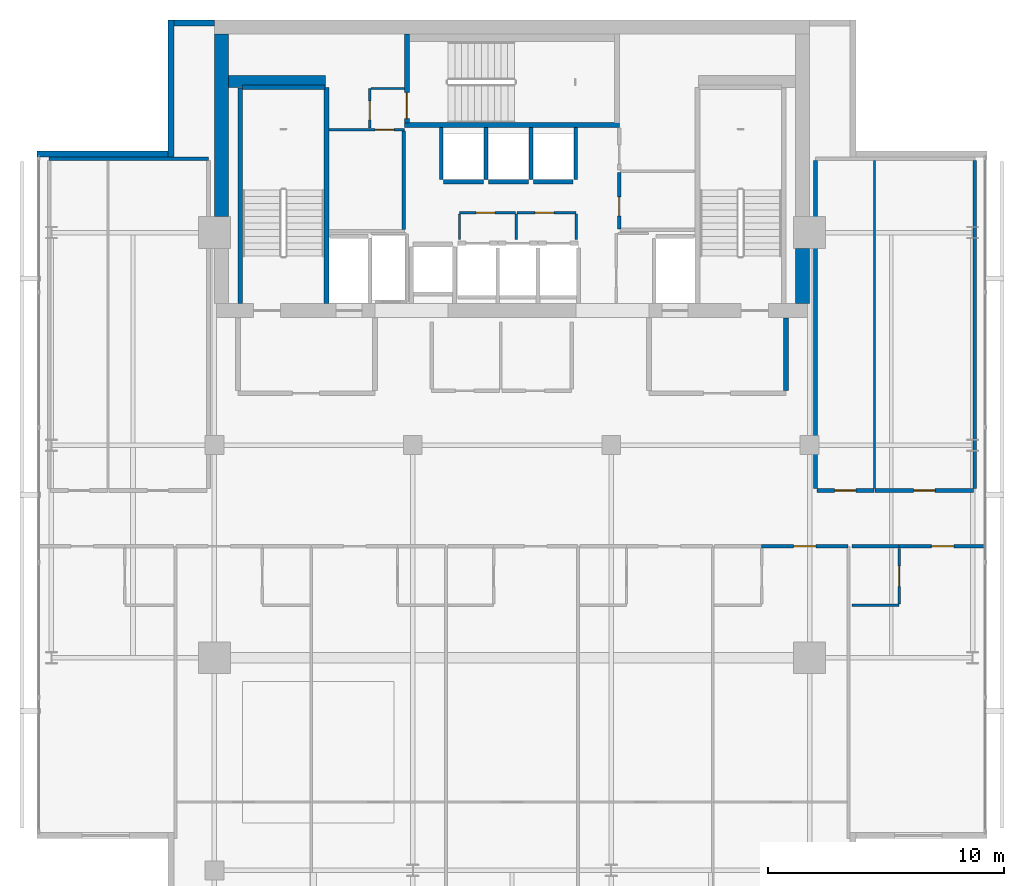
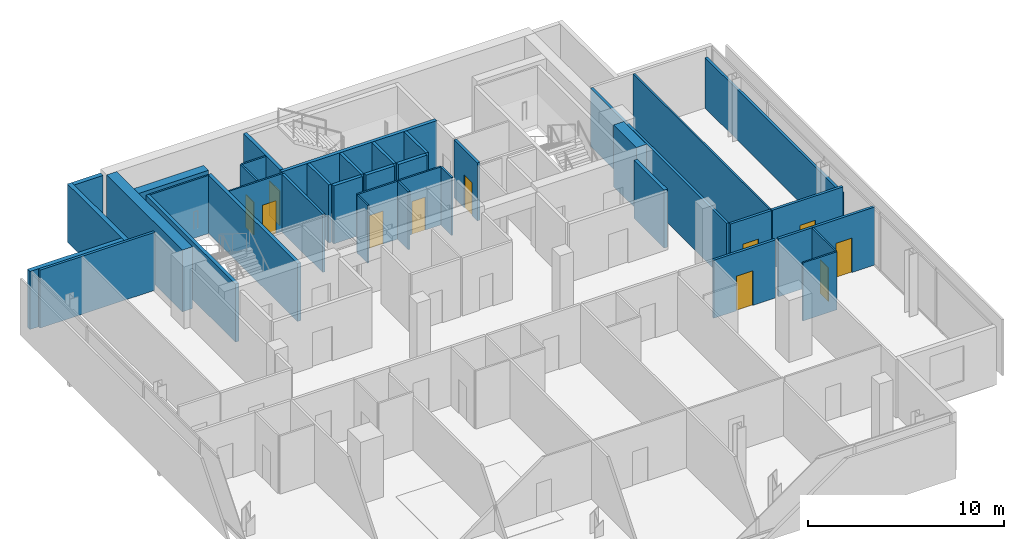
# One storey, part 19 of 24: 40 walls, 11 doors, 11 openings.
"""IFC4 building model written with IfcOpenShell, lengths in metres."""

from ifc_helpers import new_model, si_unit, direction, frame, frame_2d, origin, place, context, subcontext, project, spatial, rectangle, extrude, material, layer, layer_set, type_object, element, fill, save


model = new_model("IFC4")

# Units and contexts
model_context = context("Model", 3, precision=1e-05, world=origin(), true_north=direction((0.0, 1.0)))
body_context = subcontext(model_context, "Body", "Model", "MODEL_VIEW")
ifc_project = project(units=[si_unit("LENGTHUNIT", "METRE"), si_unit("AREAUNIT", "SQUARE_METRE"), si_unit("VOLUMEUNIT", "CUBIC_METRE"), si_unit("PLANEANGLEUNIT", "RADIAN"), si_unit("MASSUNIT", "GRAM", prefix="KILO")], contexts=[model_context])

# Site, building, storey
site_placement = place(None, origin())
site = spatial("IfcSite", under=ifc_project, at=site_placement, CompositionType="ELEMENT")
building_placement = place(site_placement, origin())
building = spatial("IfcBuilding", under=site, at=building_placement, Name="Maruvema Waterfront Hotel and Observation Tower", CompositionType="ELEMENT")
storey_placement = place(building_placement, frame((0.0, 0.0, 325.85009765625)))
storey = spatial("IfcBuildingStorey", under=building, at=storey_placement, Name="L80", CompositionType="ELEMENT", Elevation=325.85009765625)

# Wall
ifc_material_1 = material(Name="Twin-stud acoustic gypsum drywall", Category="gypsum")
ifc_layer_1 = layer(ifc_material_1, 0.14990234375, Name="Acoustic Corridor and Suite Demising Wall 150 mm")
ifc_layer_set_1 = layer_set([ifc_layer_1], Name="Twin-stud acoustic gypsum drywall")
wall_type_1 = type_object("IfcWallType", Name="Acoustic Corridor and Suite Demising Wall 150 mm", PredefinedType="PARTITIONING", material=ifc_layer_set_1)
wall_1_placement = place(storey_placement, frame((33.219970703125, 45.139892578125, 0.0), z_axis=(0.0, 0.0, 1.0), x_axis=(0.0, 1.0, 0.0)))
element("IfcWall", 1, at=wall_1_placement, inside=storey, type_object=wall_type_1, Name="L80 Freed B1 East Wall 018", PredefinedType="PARTITIONING", context=body_context, shape_type="SweptSolid", body=[
    extrude(rectangle(XDim=4.16015625, YDim=0.14990234375, at=frame_2d((2.080078125, 0.0))), origin(), (0.0, 0.0, 1.0), 3.60986328125),
])

# Wall, opening, door
wall_2_placement = place(storey_placement, frame((42.340087890625, 45.159912109375, 0.0), z_axis=(0.0, 0.0, 1.0), x_axis=(0.0, 1.0, 0.0)))
wall_2 = element("IfcWall", 2, at=wall_2_placement, inside=storey, type_object=wall_type_1, Name="L80 Freed B2 West S 022", PredefinedType="PARTITIONING", context=body_context, shape_type="SweptSolid", body=[
    extrude(rectangle(XDim=2.380126953125, YDim=0.14990234375, at=frame_2d((1.18994140625, 0.0))), origin(), (0.0, 0.0, 1.0), 3.60986328125),
])
opening_1_placement = place(wall_2_placement, frame((0.550048828125, 0.0, 0.0)))
opening_1 = element("IfcOpeningElement", 3, at=opening_1_placement, cuts=wall_2, Name="Opening DR-080", PredefinedType="OPENING", context=body_context, shape_type="SweptSolid", body=[
    extrude(rectangle(XDim=0.800048828125, YDim=2.050048828125, at=frame_2d((0.39990234375, 1.02490234375))), frame((0.0, 0.0849609375, 0.0), z_axis=(0.0, -1.0, 0.0), x_axis=(1.0, 0.0, 0.0)), (0.0, 0.0, 1.0), 0.169921875),
])
ifc_material_2 = material(Name="Powder-coated steel access leaf", Category="steel")
door_type_1 = type_object("IfcDoorType", Name="Riser and Service Cupboard Door 800x2050 mm", OperationType="NOTDEFINED", PredefinedType="DOOR", material=ifc_material_2)
door_1_placement = place(opening_1_placement, frame((0.800048828125, 0.0, 0.0), z_axis=(0.0, 0.0, 1.0), x_axis=(-1.0, 0.0, 0.0)))
door_1 = element("IfcDoor", 4, at=door_1_placement, inside=storey, type_object=door_type_1, Name="L80 Butler Service Pantry Door", OperationType="SINGLE_SWING_LEFT", OverallHeight=2.050048828125, OverallWidth=0.800048828125, PredefinedType="DOOR", context=body_context, shape_type="SweptSolid", body=[
    extrude(rectangle(XDim=0.800048828125, YDim=2.050048828125, at=frame_2d((0.39990234375, 1.02490234375))), frame((0.0, 0.02490234375, 0.0), z_axis=(0.0, -1.0, 0.0), x_axis=(1.0, 0.0, 0.0)), (0.0, 0.0, 1.0), 0.050048828125),
])
fill(opening_1, door_1)

# Walls
wall_3_placement = place(storey_placement, frame((18.199951171875, 48.125, 0.0), z_axis=(0.0, 0.0, 1.0), x_axis=(1.0, 0.0, 0.0)))
element("IfcWall", 5, at=wall_3_placement, inside=storey, type_object=wall_type_1, Name="L80 L80-Z4W Back Wall 031", PredefinedType="PARTITIONING", context=body_context, shape_type="SweptSolid", body=[
    extrude(rectangle(XDim=6.75, YDim=0.14990234375, at=frame_2d((3.375, 0.0))), origin(), (0.0, 0.0, 1.0), 3.60986328125),
])
wall_4_placement = place(storey_placement, frame((50.64990234375, 34.159912109375, 0.0), z_axis=(0.0, 0.0, 1.0), x_axis=(0.0, 1.0, 0.0)))
element("IfcWall", 6, at=wall_4_placement, inside=storey, type_object=wall_type_1, Name="L80 L80-Z4E West Wall 038", PredefinedType="PARTITIONING", context=body_context, shape_type="SweptSolid", body=[
    extrude(rectangle(XDim=13.885009765625, YDim=0.14990234375, at=frame_2d((6.9423828125, 0.0))), origin(), (0.0, 0.0, 1.0), 3.60986328125),
])
wall_5_placement = place(storey_placement, frame((57.39990234375, 34.159912109375, 0.0), z_axis=(0.0, 0.0, 1.0), x_axis=(0.0, 1.0, 0.0)))
element("IfcWall", 7, at=wall_5_placement, inside=storey, type_object=wall_type_1, Name="L80 L80-Z4E East Wall 039", PredefinedType="PARTITIONING", context=body_context, shape_type="SweptSolid", body=[
    extrude(rectangle(XDim=13.885009765625, YDim=0.14990234375, at=frame_2d((6.9423828125, 0.0))), origin(), (0.0, 0.0, 1.0), 3.140869140625),
])

# Wall, opening, door
wall_6_placement = place(storey_placement, frame((50.7099609375, 34.080078125, 0.0), z_axis=(0.0, 0.0, 1.0), x_axis=(1.0, 0.0, 0.0)))
wall_6 = element("IfcWall", 8, at=wall_6_placement, inside=storey, type_object=wall_type_1, Name="L80 L80-Z4E Front 1 040", PredefinedType="PARTITIONING", context=body_context, shape_type="SweptSolid", body=[
    extrude(rectangle(XDim=2.407470703125, YDim=0.14990234375, at=frame_2d((1.20361328125, 0.0))), origin(), (0.0, 0.0, 1.0), 3.60986328125),
])
opening_2_placement = place(wall_6_placement, frame((0.753662109375, 0.0, 0.0)))
opening_2 = element("IfcOpeningElement", 9, at=opening_2_placement, cuts=wall_6, Name="Opening DR-090", PredefinedType="OPENING", context=body_context, shape_type="SweptSolid", body=[
    extrude(rectangle(XDim=0.89990234375, YDim=2.10009765625, at=frame_2d((0.449951171875, 1.050048828125))), frame((0.0, 0.0849609375, 0.0), z_axis=(0.0, -1.0, 0.0), x_axis=(1.0, 0.0, 0.0)), (0.0, 0.0, 1.0), 0.169921875),
])
ifc_material_3 = material(Name="Solid-core lacquered timber leaf", Category="wood")
door_type_2 = type_object("IfcDoorType", Name="Accessible Toilet and Room Door 900x2100 mm", OperationType="NOTDEFINED", PredefinedType="DOOR", material=ifc_material_3)
door_2_placement = place(opening_2_placement, frame((0.89990234375, 0.0, 0.0), z_axis=(0.0, 0.0, 1.0), x_axis=(-1.0, 0.0, 0.0)))
door_2 = element("IfcDoor", 10, at=door_2_placement, inside=storey, type_object=door_type_2, Name="L80 Executive Meeting Salon 1 Door", OperationType="SINGLE_SWING_LEFT", OverallHeight=2.10009765625, OverallWidth=0.89990234375, PredefinedType="DOOR", context=body_context, shape_type="SweptSolid", body=[
    extrude(rectangle(XDim=0.89990234375, YDim=2.10009765625, at=frame_2d((0.449951171875, 1.050048828125))), frame((0.0, 0.02490234375, 0.0), z_axis=(0.0, -1.0, 0.0), x_axis=(1.0, 0.0, 0.0)), (0.0, 0.0, 1.0), 0.050048828125),
])
fill(opening_2, door_2)

wall_7_placement = place(storey_placement, frame((53.177490234375, 34.080078125, 0.0), z_axis=(0.0, 0.0, 1.0), x_axis=(1.0, 0.0, 0.0)))
wall_7 = element("IfcWall", 11, at=wall_7_placement, inside=storey, type_object=wall_type_1, Name="L80 L80-Z4E Front 2 042", PredefinedType="PARTITIONING", context=body_context, shape_type="SweptSolid", body=[
    extrude(rectangle(XDim=4.16259765625, YDim=0.14990234375, at=frame_2d((2.081298828125, 0.0))), origin(), (0.0, 0.0, 1.0), 3.60986328125),
])
opening_3_placement = place(wall_7_placement, frame((1.63134765625, 0.0, 0.0)))
opening_3 = element("IfcOpeningElement", 12, at=opening_3_placement, cuts=wall_7, Name="Opening DR-090", PredefinedType="OPENING", context=body_context, shape_type="SweptSolid", body=[
    extrude(rectangle(XDim=0.89990234375, YDim=2.10009765625, at=frame_2d((0.449951171875, 1.050048828125))), frame((0.0, 0.0849609375, 0.0), z_axis=(0.0, -1.0, 0.0), x_axis=(1.0, 0.0, 0.0)), (0.0, 0.0, 1.0), 0.169921875),
])
door_3_placement = place(opening_3_placement, frame((0.89990234375, 0.0, 0.0), z_axis=(0.0, 0.0, 1.0), x_axis=(-1.0, 0.0, 0.0)))
door_3 = element("IfcDoor", 13, at=door_3_placement, inside=storey, type_object=door_type_2, Name="L80 Executive Meeting Salon 2 Door", OperationType="SINGLE_SWING_RIGHT", OverallHeight=2.10009765625, OverallWidth=0.89990234375, PredefinedType="DOOR", context=body_context, shape_type="SweptSolid", body=[
    extrude(rectangle(XDim=0.89990234375, YDim=2.10009765625, at=frame_2d((0.449951171875, 1.050048828125))), frame((0.0, 0.02490234375, 0.0), z_axis=(0.0, -1.0, 0.0), x_axis=(1.0, 0.0, 0.0)), (0.0, 0.0, 1.0), 0.050048828125),
])
fill(opening_3, door_3)

wall_8_placement = place(storey_placement, frame((48.3701171875, 31.719970703125, 0.0), z_axis=(0.0, 0.0, 1.0), x_axis=(1.0, 0.0, 0.0)))
wall_8 = element("IfcWall", 14, at=wall_8_placement, inside=storey, type_object=wall_type_1, Name="L80 Unit L80-SK5 Corridor Wall 072", PredefinedType="PARTITIONING", context=body_context, shape_type="SweptSolid", body=[
    extrude(rectangle(XDim=3.6474609375, YDim=0.14990234375, at=frame_2d((1.82373046875, 0.0))), origin(), (0.0, 0.0, 1.0), 3.60986328125),
])
opening_4_placement = place(wall_8_placement, frame((1.348876953125, 0.0, 0.0)))
opening_4 = element("IfcOpeningElement", 15, at=opening_4_placement, cuts=wall_8, Name="Opening DR-095", PredefinedType="OPENING", context=body_context, shape_type="SweptSolid", body=[
    extrude(rectangle(XDim=0.949951171875, YDim=2.14990234375, at=frame_2d((0.47509765625, 1.074951171875))), frame((0.0, 0.0849609375, 0.0), z_axis=(0.0, -1.0, 0.0), x_axis=(1.0, 0.0, 0.0)), (0.0, 0.0, 1.0), 0.169921875),
])
ifc_material_4 = material(Name="Acoustic solid-core hardwood timber leaf", Category="wood")
door_type_3 = type_object("IfcDoorType", Name="Guestroom Entrance Fire Door 950x2150 mm", OperationType="NOTDEFINED", PredefinedType="DOOR", material=ifc_material_4)
door_4_placement = place(opening_4_placement, frame((0.949951171875, 0.0, 0.0), z_axis=(0.0, 0.0, 1.0), x_axis=(-1.0, 0.0, 0.0)))
door_4 = element("IfcDoor", 16, at=door_4_placement, inside=storey, type_object=door_type_3, Name="L80 Unit L80-SK5 Entrance Door", OperationType="SINGLE_SWING_RIGHT", OverallHeight=2.14990234375, OverallWidth=0.949951171875, PredefinedType="DOOR", context=body_context, shape_type="SweptSolid", body=[
    extrude(rectangle(XDim=0.949951171875, YDim=2.14990234375, at=frame_2d((0.47509765625, 1.074951171875))), frame((0.0, 0.02490234375, 0.0), z_axis=(0.0, -1.0, 0.0), x_axis=(1.0, 0.0, 0.0)), (0.0, 0.0, 1.0), 0.050048828125),
])
fill(opening_4, door_4)

# Wall
wall_9_placement = place(storey_placement, frame((52.18994140625, 31.719970703125, 0.0), z_axis=(0.0, 0.0, 1.0), x_axis=(1.0, 0.0, 0.0)))
element("IfcWall", 17, at=wall_9_placement, inside=storey, type_object=wall_type_1, Name="L80 Bath L80-SKE Back Wall 078", PredefinedType="PARTITIONING", context=body_context, shape_type="SweptSolid", body=[
    extrude(rectangle(XDim=2.0, YDim=0.14990234375, at=frame_2d((1.0, 0.0))), origin(), (0.0, 0.0, 1.0), 3.60986328125),
])

# Wall, opening, door
wall_10_placement = place(storey_placement, frame((54.18994140625, 31.719970703125, 0.0), z_axis=(0.0, 0.0, 1.0), x_axis=(1.0, 0.0, 0.0)))
wall_10 = element("IfcWall", 18, at=wall_10_placement, inside=storey, type_object=wall_type_1, Name="L80 Unit L80-SKE Corridor Wall 081", PredefinedType="PARTITIONING", context=body_context, shape_type="SweptSolid", body=[
    extrude(rectangle(XDim=3.68017578125, YDim=0.14990234375, at=frame_2d((1.840087890625, 0.0))), origin(), (0.0, 0.0, 1.0), 3.60986328125),
])
opening_5_placement = place(wall_10_placement, frame((1.364990234375, 0.0, 0.0)))
opening_5 = element("IfcOpeningElement", 19, at=opening_5_placement, cuts=wall_10, Name="Opening DR-095", PredefinedType="OPENING", context=body_context, shape_type="SweptSolid", body=[
    extrude(rectangle(XDim=0.949951171875, YDim=2.14990234375, at=frame_2d((0.47509765625, 1.074951171875))), frame((0.0, 0.0849609375, 0.0), z_axis=(0.0, -1.0, 0.0), x_axis=(1.0, 0.0, 0.0)), (0.0, 0.0, 1.0), 0.169921875),
])
door_5_placement = place(opening_5_placement, frame((0.949951171875, 0.0, 0.0), z_axis=(0.0, 0.0, 1.0), x_axis=(-1.0, 0.0, 0.0)))
door_5 = element("IfcDoor", 20, at=door_5_placement, inside=storey, type_object=door_type_3, Name="L80 Unit L80-SKE Entrance Door", OperationType="SINGLE_SWING_LEFT", OverallHeight=2.14990234375, OverallWidth=0.949951171875, PredefinedType="DOOR", context=body_context, shape_type="SweptSolid", body=[
    extrude(rectangle(XDim=0.949951171875, YDim=2.14990234375, at=frame_2d((0.47509765625, 1.074951171875))), frame((0.0, 0.02490234375, 0.0), z_axis=(0.0, -1.0, 0.0), x_axis=(1.0, 0.0, 0.0)), (0.0, 0.0, 1.0), 0.050048828125),
])
fill(opening_5, door_5)

# Walls
ifc_material_5 = material(Name="Precast concrete C45/55", Category="concrete")
ifc_layer_2 = layer(ifc_material_5, 0.199951171875, Name="Core Shaft and Stairwell Enclosure Wall 200 mm")
ifc_layer_set_2 = layer_set([ifc_layer_2], Name="Precast concrete C45/55")
wall_type_2 = type_object("IfcWallType", Name="Core Shaft and Stairwell Enclosure Wall 200 mm", PredefinedType="SOLIDWALL", material=ifc_layer_set_2)
wall_11_placement = place(storey_placement, frame((29.949951171875, 42.0, 0.0), z_axis=(0.0, 0.0, 1.0), x_axis=(0.0, 1.0, 0.0)))
element("IfcWall", 21, at=wall_11_placement, inside=storey, type_object=wall_type_2, Name="L80 Stairwell ST-01 East Shaft Wall", PredefinedType="SOLIDWALL", context=body_context, shape_type="SweptSolid", body=[
    extrude(rectangle(XDim=9.14990234375, YDim=0.199951171875, at=frame_2d((4.574951171875, 0.0))), origin(), (0.0, 0.0, 1.0), 3.60986328125),
])
wall_12_placement = place(storey_placement, frame((26.300048828125, 42.0, 0.0), z_axis=(0.0, 0.0, 1.0), x_axis=(0.0, 1.0, 0.0)))
element("IfcWall", 22, at=wall_12_placement, inside=storey, type_object=wall_type_2, Name="L80 Stairwell ST-01 Shaft Lining Wall", PredefinedType="SOLIDWALL", context=body_context, shape_type="SweptSolid", body=[
    extrude(rectangle(XDim=9.1201171875, YDim=0.199951171875, at=frame_2d((4.56005859375, 0.0))), origin(), (0.0, 0.0, 1.0), 3.60986328125),
])
wall_13_placement = place(storey_placement, frame((26.3798828125, 51.14990234375, 0.0), z_axis=(0.0, 0.0, 1.0), x_axis=(1.0, 0.0, 0.0)))
element("IfcWall", 23, at=wall_13_placement, inside=storey, type_object=wall_type_2, Name="L80 Stairwell ST-01 Shaft Lining Wall", PredefinedType="SOLIDWALL", context=body_context, shape_type="SweptSolid", body=[
    extrude(rectangle(XDim=3.5, YDim=0.199951171875, at=frame_2d((1.75, 0.0))), origin(), (0.0, 0.0, 1.0), 3.60986328125),
])
wall_14_placement = place(storey_placement, frame((33.25, 49.550048828125, 0.0), z_axis=(0.0, 0.0, 1.0), x_axis=(1.0, 0.0, 0.0)))
element("IfcWall", 24, at=wall_14_placement, inside=storey, type_object=wall_type_2, Name="L80 Stairwell ST-02 Shaft Wall", PredefinedType="SOLIDWALL", context=body_context, shape_type="SweptSolid", body=[
    extrude(rectangle(XDim=9.10009765625, YDim=0.199951171875, at=frame_2d((4.550048828125, 0.0))), origin(), (0.0, 0.0, 1.0), 3.60986328125),
])

# Wall, opening, door
wall_15_placement = place(storey_placement, frame((33.35009765625, 49.64990234375, 0.0), z_axis=(0.0, 0.0, 1.0), x_axis=(0.0, 1.0, 0.0)))
wall_15 = element("IfcWall", 25, at=wall_15_placement, inside=storey, type_object=wall_type_2, Name="L80 Stairwell ST-02 Shaft Wall", PredefinedType="SOLIDWALL", context=body_context, shape_type="SweptSolid", body=[
    extrude(rectangle(XDim=3.75, YDim=0.199951171875, at=frame_2d((1.875, 0.0))), origin(), (0.0, 0.0, 1.0), 3.60986328125),
])
opening_6_placement = place(wall_15_placement, frame((0.179931640625, 0.0, 0.0)))
opening_6 = element("IfcOpeningElement", 26, at=opening_6_placement, cuts=wall_15, Name="Opening SD-02", PredefinedType="OPENING", context=body_context, shape_type="SweptSolid", body=[
    extrude(rectangle(XDim=1.10009765625, YDim=2.14990234375, at=frame_2d((0.550048828125, 1.074951171875))), frame((0.0, 0.10986328125, 0.0), z_axis=(0.0, -1.0, 0.0), x_axis=(1.0, 0.0, 0.0)), (0.0, 0.0, 1.0), 0.219970703125),
])
ifc_material_6 = material(Name="Fire-rated galvanised steel leaf", Category="steel")
door_type_4 = type_object("IfcDoorType", Name="Central Exit Stair Fire Door 1100x2150 mm", OperationType="NOTDEFINED", PredefinedType="DOOR", material=ifc_material_6)
door_6_placement = place(opening_6_placement, frame((1.10009765625, 0.0, 0.0), z_axis=(0.0, 0.0, 1.0), x_axis=(-1.0, 0.0, 0.0)))
door_6 = element("IfcDoor", 27, at=door_6_placement, inside=storey, type_object=door_type_4, Name="L80 Exit Stair ST-02 Fire Door", OperationType="SINGLE_SWING_LEFT", OverallHeight=2.14990234375, OverallWidth=1.10009765625, PredefinedType="DOOR", context=body_context, shape_type="SweptSolid", body=[
    extrude(rectangle(XDim=1.10009765625, YDim=2.14990234375, at=frame_2d((0.550048828125, 1.074951171875))), frame((0.0, 0.02490234375, 0.0), z_axis=(0.0, -1.0, 0.0), x_axis=(1.0, 0.0, 0.0)), (0.0, 0.0, 1.0), 0.050048828125),
])
fill(opening_6, door_6)

# Walls
wall_16_placement = place(storey_placement, frame((34.909912109375, 47.14990234375, 0.0), z_axis=(0.0, 0.0, 1.0), x_axis=(1.0, 0.0, 0.0)))
element("IfcWall", 28, at=wall_16_placement, inside=storey, type_object=wall_type_2, Name="L80 Lift LF-12 Hoistway Front Wall", PredefinedType="SOLIDWALL", context=body_context, shape_type="SweptSolid", body=[
    extrude(rectangle(XDim=1.68017578125, YDim=0.199951171875, at=frame_2d((0.840087890625, 0.0))), origin(), (0.0, 0.0, 1.0), 3.60986328125),
])
for number, where, z_axis, x_axis, name in (
    (29, (36.81005859375, 47.14990234375, 0.0), (0.0, 0.0, 1.0), (1.0, 0.0, 0.0), "L80 Lift LF-13 Hoistway Front Wall"),
    (30, (38.7099609375, 47.14990234375, 0.0), (0.0, 0.0, 1.0), (1.0, 0.0, 0.0), "L80 Lift LF-14 Hoistway Front Wall"),
):
    element("IfcWall", number, at=place(storey_placement, frame(where, z_axis=z_axis, x_axis=x_axis)), inside=storey, type_object=wall_type_2, Name=name, PredefinedType="SOLIDWALL", context=body_context, shape_type="SweptSolid", body=[
        extrude(rectangle(XDim=1.679931640625, YDim=0.199951171875, at=frame_2d((0.83984375, 0.0))), origin(), (0.0, 0.0, 1.0), 3.60986328125),
    ])
ifc_material_7 = material(Name="Concrete C70/85", Category="concrete")
ifc_layer_3 = layer(ifc_material_7, 0.5, Name="Core Shear Wall 500 mm")
ifc_layer_set_3 = layer_set([ifc_layer_3], Name="Concrete C70/85")
wall_type_3 = type_object("IfcWallType", Name="Core Shear Wall 500 mm", PredefinedType="SHEAR", material=ifc_layer_set_3)
wall_17_placement = place(storey_placement, frame((25.800048828125, 51.39990234375, 0.0), z_axis=(0.0, 0.0, 1.0), x_axis=(1.0, 0.0, 0.0)))
element("IfcWall", 31, at=wall_17_placement, inside=storey, type_object=wall_type_3, Name="L80 Internal Core Shear Wall NW 500 mm", PredefinedType="SHEAR", context=body_context, shape_type="SweptSolid", body=[
    extrude(rectangle(XDim=4.099853515625, YDim=0.5, at=frame_2d((2.0498046875, 0.0))), origin(), (0.0, 0.0, 1.0), 3.849853515625),
])
ifc_material_8 = material(Name="Concrete C60/75", Category="concrete")
ifc_layer_4 = layer(ifc_material_8, 0.60009765625, Name="Core Shear Wall 600 mm")
ifc_layer_set_4 = layer_set([ifc_layer_4], Name="Concrete C60/75")
wall_type_4 = type_object("IfcWallType", Name="Core Shear Wall 600 mm", PredefinedType="SHEAR", material=ifc_layer_set_4)
wall_18_placement = place(storey_placement, frame((25.5, 45.675048828125, 0.0), z_axis=(0.0, 0.0, 1.0), x_axis=(0.0, 1.0, 0.0)))
element("IfcWall", 32, at=wall_18_placement, inside=storey, type_object=wall_type_4, Name="L80 West-North Core Shear Wall", PredefinedType="SHEAR", context=body_context, shape_type="SweptSolid", body=[
    extrude(rectangle(XDim=7.724853515625, YDim=0.60009765625, at=frame_2d((3.8623046875, 0.0))), origin(), (0.0, 0.0, 1.0), 3.849853515625),
])
wall_19_placement = place(storey_placement, frame((50.10009765625, 42.0, 0.0), z_axis=(0.0, 0.0, 1.0), x_axis=(0.0, 1.0, 0.0)))
element("IfcWall", 33, at=wall_19_placement, inside=storey, type_object=wall_type_4, Name="L80 East-South Core Shear Wall", PredefinedType="SHEAR", context=body_context, shape_type="SweptSolid", body=[
    extrude(rectangle(XDim=2.324951171875, YDim=0.60009765625, at=frame_2d((1.16259765625, 0.0))), origin(), (0.0, 0.0, 1.0), 3.849853515625),
])

# Wall, opening, door
ifc_material_9 = material(Name="Moisture-resistant cement-board drywall", Category="gypsum")
ifc_layer_5 = layer(ifc_material_9, 0.10009765625, Name="En-Suite Moisture-Resistant Partition 100 mm")
ifc_layer_set_5 = layer_set([ifc_layer_5], Name="Moisture-resistant cement-board drywall")
wall_type_5 = type_object("IfcWallType", Name="En-Suite Moisture-Resistant Partition 100 mm", PredefinedType="PARTITIONING", material=ifc_layer_set_5)
wall_20_placement = place(storey_placement, frame((35.580078125, 45.840087890625, 0.0), z_axis=(0.0, 0.0, 1.0), x_axis=(1.0, 0.0, 0.0)))
wall_20 = element("IfcWall", 34, at=wall_20_placement, inside=storey, type_object=wall_type_5, Name="L80 Core Closet K2A North 010", PredefinedType="PARTITIONING", context=body_context, shape_type="SweptSolid", body=[
    extrude(rectangle(XDim=2.35986328125, YDim=0.10009765625, at=frame_2d((1.179931640625, 0.0))), origin(), (0.0, 0.0, 1.0), 3.60986328125),
])
opening_7_placement = place(wall_20_placement, frame((0.699951171875, 0.0, 0.0)))
opening_7 = element("IfcOpeningElement", 35, at=opening_7_placement, cuts=wall_20, Name="Opening DR-080", PredefinedType="OPENING", context=body_context, shape_type="SweptSolid", body=[
    extrude(rectangle(XDim=0.800048828125, YDim=2.050048828125, at=frame_2d((0.39990234375, 1.02490234375))), frame((0.0, 0.06005859375, 0.0), z_axis=(0.0, -1.0, 0.0), x_axis=(1.0, 0.0, 0.0)), (0.0, 0.0, 1.0), 0.1201171875),
])
door_7_placement = place(opening_7_placement, origin())
door_7 = element("IfcDoor", 36, at=door_7_placement, inside=storey, type_object=door_type_1, Name="L80 Core IT Closet Door", OperationType="SINGLE_SWING_RIGHT", OverallHeight=2.050048828125, OverallWidth=0.800048828125, PredefinedType="DOOR", context=body_context, shape_type="SweptSolid", body=[
    extrude(rectangle(XDim=0.800048828125, YDim=2.050048828125, at=frame_2d((0.39990234375, 1.02490234375))), frame((0.0, 0.02490234375, 0.0), z_axis=(0.0, -1.0, 0.0), x_axis=(1.0, 0.0, 0.0)), (0.0, 0.0, 1.0), 0.050048828125),
])
fill(opening_7, door_7)

wall_21_placement = place(storey_placement, frame((38.02001953125, 45.840087890625, 0.0), z_axis=(0.0, 0.0, 1.0), x_axis=(1.0, 0.0, 0.0)))
wall_21 = element("IfcWall", 37, at=wall_21_placement, inside=storey, type_object=wall_type_5, Name="L80 Core Closet K2B North 011", PredefinedType="PARTITIONING", context=body_context, shape_type="SweptSolid", body=[
    extrude(rectangle(XDim=2.5, YDim=0.10009765625, at=frame_2d((1.25, 0.0))), origin(), (0.0, 0.0, 1.0), 3.60986328125),
])
opening_8_placement = place(wall_21_placement, frame((0.75, 0.0, 0.0)))
opening_8 = element("IfcOpeningElement", 38, at=opening_8_placement, cuts=wall_21, Name="Opening DR-080", PredefinedType="OPENING", context=body_context, shape_type="SweptSolid", body=[
    extrude(rectangle(XDim=0.800048828125, YDim=2.050048828125, at=frame_2d((0.39990234375, 1.02490234375))), frame((0.0, 0.06005859375, 0.0), z_axis=(0.0, -1.0, 0.0), x_axis=(1.0, 0.0, 0.0)), (0.0, 0.0, 1.0), 0.1201171875),
])
door_8_placement = place(opening_8_placement, origin())
door_8 = element("IfcDoor", 39, at=door_8_placement, inside=storey, type_object=door_type_1, Name="L80 Core Linen Cupboard Door", OperationType="SINGLE_SWING_LEFT", OverallHeight=2.050048828125, OverallWidth=0.800048828125, PredefinedType="DOOR", context=body_context, shape_type="SweptSolid", body=[
    extrude(rectangle(XDim=0.800048828125, YDim=2.050048828125, at=frame_2d((0.39990234375, 1.02490234375))), frame((0.0, 0.02490234375, 0.0), z_axis=(0.0, -1.0, 0.0), x_axis=(1.0, 0.0, 0.0)), (0.0, 0.0, 1.0), 0.050048828125),
])
fill(opening_8, door_8)

# Walls
for number, where, z_axis, x_axis, name in (
    (40, (35.580078125, 44.699951171875, 0.0), (0.0, 0.0, 1.0), (0.0, 1.0, 0.0), "L80 Core Closet K2 West 012"),
    (41, (37.97998046875, 44.699951171875, 0.0), (0.0, 0.0, 1.0), (0.0, 1.0, 0.0), "L80 Core Closet K2 Mid 013"),
    (42, (40.52001953125, 44.699951171875, 0.0), (0.0, 0.0, 1.0), (0.0, 1.0, 0.0), "L80 Core Closet K2 East 014"),
):
    element("IfcWall", number, at=place(storey_placement, frame(where, z_axis=z_axis, x_axis=x_axis)), inside=storey, type_object=wall_type_5, Name=name, PredefinedType="PARTITIONING", context=body_context, shape_type="SweptSolid", body=[
        extrude(rectangle(XDim=1.080078125, YDim=0.10009765625, at=frame_2d((0.5400390625, 0.0))), origin(), (0.0, 0.0, 1.0), 3.60986328125),
    ])

# Wall, opening, door
wall_22_placement = place(storey_placement, frame((30.06005859375, 49.360107421875, 0.0), z_axis=(0.0, 0.0, 1.0), x_axis=(1.0, 0.0, 0.0)))
wall_22 = element("IfcWall", 43, at=wall_22_placement, inside=storey, type_object=wall_type_5, Name="L80 Freed B1 Mid Wall 019", PredefinedType="PARTITIONING", context=body_context, shape_type="SweptSolid", body=[
    extrude(rectangle(XDim=3.179931640625, YDim=0.10009765625, at=frame_2d((1.58984375, 0.0))), origin(), (0.0, 0.0, 1.0), 3.60986328125),
])
opening_9_placement = place(wall_22_placement, frame((1.949951171875, 0.0, 0.0)))
opening_9 = element("IfcOpeningElement", 44, at=opening_9_placement, cuts=wall_22, Name="Opening DR-080", PredefinedType="OPENING", context=body_context, shape_type="SweptSolid", body=[
    extrude(rectangle(XDim=0.800048828125, YDim=2.050048828125, at=frame_2d((0.39990234375, 1.02490234375))), frame((0.0, 0.06005859375, 0.0), z_axis=(0.0, -1.0, 0.0), x_axis=(1.0, 0.0, 0.0)), (0.0, 0.0, 1.0), 0.1201171875),
])
door_9_placement = place(opening_9_placement, origin())
door_9 = element("IfcDoor", 45, at=door_9_placement, inside=storey, type_object=door_type_1, Name="L80 Housekeeping and Linen Room Door", OperationType="SINGLE_SWING_LEFT", OverallHeight=2.050048828125, OverallWidth=0.800048828125, PredefinedType="DOOR", context=body_context, shape_type="SweptSolid", body=[
    extrude(rectangle(XDim=0.800048828125, YDim=2.050048828125, at=frame_2d((0.39990234375, 1.02490234375))), frame((0.0, 0.02490234375, 0.0), z_axis=(0.0, -1.0, 0.0), x_axis=(1.0, 0.0, 0.0)), (0.0, 0.0, 1.0), 0.050048828125),
])
fill(opening_9, door_9)

wall_23_placement = place(storey_placement, frame((31.780029296875, 49.419921875, 0.0), z_axis=(0.0, 0.0, 1.0), x_axis=(0.0, 1.0, 0.0)))
wall_23 = element("IfcWall", 46, at=wall_23_placement, inside=storey, type_object=wall_type_5, Name="L80 Freed B1 NW East Wall 020", PredefinedType="PARTITIONING", context=body_context, shape_type="SweptSolid", body=[
    extrude(rectangle(XDim=1.68017578125, YDim=0.10009765625, at=frame_2d((0.840087890625, 0.0))), origin(), (0.0, 0.0, 1.0), 3.60986328125),
])
opening_10_placement = place(wall_23_placement, frame((0.35009765625, 0.0, 0.0)))
opening_10 = element("IfcOpeningElement", 47, at=opening_10_placement, cuts=wall_23, Name="Opening DR-080", PredefinedType="OPENING", context=body_context, shape_type="SweptSolid", body=[
    extrude(rectangle(XDim=0.800048828125, YDim=2.050048828125, at=frame_2d((0.39990234375, 1.02490234375))), frame((0.0, 0.06005859375, 0.0), z_axis=(0.0, -1.0, 0.0), x_axis=(1.0, 0.0, 0.0)), (0.0, 0.0, 1.0), 0.1201171875),
])
door_10_placement = place(opening_10_placement, origin())
door_10 = element("IfcDoor", 48, at=door_10_placement, inside=storey, type_object=door_type_1, Name="L80 Guest Floor Pantry Door", OperationType="SINGLE_SWING_RIGHT", OverallHeight=2.050048828125, OverallWidth=0.800048828125, PredefinedType="DOOR", context=body_context, shape_type="SweptSolid", body=[
    extrude(rectangle(XDim=0.800048828125, YDim=2.050048828125, at=frame_2d((0.39990234375, 1.02490234375))), frame((0.0, 0.02490234375, 0.0), z_axis=(0.0, -1.0, 0.0), x_axis=(1.0, 0.0, 0.0)), (0.0, 0.0, 1.0), 0.050048828125),
])
fill(opening_10, door_10)

# Walls
wall_24_placement = place(storey_placement, frame((31.820068359375, 51.10009765625, 0.0), z_axis=(0.0, 0.0, 1.0), x_axis=(1.0, 0.0, 0.0)))
element("IfcWall", 49, at=wall_24_placement, inside=storey, type_object=wall_type_5, Name="L80 Freed B1 Vestibule North Wall 021", PredefinedType="PARTITIONING", context=body_context, shape_type="SweptSolid", body=[
    extrude(rectangle(XDim=1.419921875, YDim=0.10009765625, at=frame_2d((0.7099609375, 0.0))), origin(), (0.0, 0.0, 1.0), 3.60986328125),
])
wall_25_placement = place(storey_placement, frame((53.1474609375, 34.159912109375, 0.0), z_axis=(0.0, 0.0, 1.0), x_axis=(0.0, 1.0, 0.0)))
element("IfcWall", 50, at=wall_25_placement, inside=storey, type_object=wall_type_5, Name="L80 L80-Z4E Split 1 041", PredefinedType="PARTITIONING", context=body_context, shape_type="SweptSolid", body=[
    extrude(rectangle(XDim=13.885009765625, YDim=0.10009765625, at=frame_2d((6.9423828125, 0.0))), origin(), (0.0, 0.0, 1.0), 3.60986328125),
])
wall_26_placement = place(storey_placement, frame((52.18994140625, 29.219970703125, 0.0), z_axis=(0.0, 0.0, 1.0), x_axis=(1.0, 0.0, 0.0)))
element("IfcWall", 51, at=wall_26_placement, inside=storey, type_object=wall_type_5, Name="L80 En-Suite L80-SKE South 079", PredefinedType="PARTITIONING", context=body_context, shape_type="SweptSolid", body=[
    extrude(rectangle(XDim=2.0, YDim=0.10009765625, at=frame_2d((1.0, 0.0))), origin(), (0.0, 0.0, 1.0), 3.60986328125),
])

# Wall, opening, door
wall_27_placement = place(storey_placement, frame((54.18994140625, 29.280029296875, 0.0), z_axis=(0.0, 0.0, 1.0), x_axis=(0.0, 1.0, 0.0)))
wall_27 = element("IfcWall", 52, at=wall_27_placement, inside=storey, type_object=wall_type_5, Name="L80 En-Suite L80-SKE East 080", PredefinedType="PARTITIONING", context=body_context, shape_type="SweptSolid", body=[
    extrude(rectangle(XDim=2.340087890625, YDim=0.10009765625, at=frame_2d((1.169921875, 0.0))), origin(), (0.0, 0.0, 1.0), 3.60986328125),
])
opening_11_placement = place(wall_27_placement, frame((0.7451171875, 0.0, 0.0)))
opening_11 = element("IfcOpeningElement", 53, at=opening_11_placement, cuts=wall_27, Name="Opening DR-085", PredefinedType="OPENING", context=body_context, shape_type="SweptSolid", body=[
    extrude(rectangle(XDim=0.85009765625, YDim=2.10009765625, at=frame_2d((0.425048828125, 1.050048828125))), frame((0.0, 0.06005859375, 0.0), z_axis=(0.0, -1.0, 0.0), x_axis=(1.0, 0.0, 0.0)), (0.0, 0.0, 1.0), 0.1201171875),
])
ifc_material_10 = material(Name="Moisture-resistant solid timber leaf", Category="wood")
door_type_5 = type_object("IfcDoorType", Name="En-Suite Bathroom Door 850x2100 mm", OperationType="NOTDEFINED", PredefinedType="DOOR", material=ifc_material_10)
door_11_placement = place(opening_11_placement, frame((0.85009765625, 0.0, 0.0), z_axis=(0.0, 0.0, 1.0), x_axis=(-1.0, 0.0, 0.0)))
door_11 = element("IfcDoor", 54, at=door_11_placement, inside=storey, type_object=door_type_5, Name="L80 En-Suite L80-SKE Door", OperationType="SINGLE_SWING_RIGHT", OverallHeight=2.10009765625, OverallWidth=0.85009765625, PredefinedType="DOOR", context=body_context, shape_type="SweptSolid", body=[
    extrude(rectangle(XDim=0.85009765625, YDim=2.10009765625, at=frame_2d((0.425048828125, 1.050048828125))), frame((0.0, 0.02490234375, 0.0), z_axis=(0.0, -1.0, 0.0), x_axis=(1.0, 0.0, 0.0)), (0.0, 0.0, 1.0), 0.050048828125),
])
fill(opening_11, door_11)

# Walls
ifc_material_11 = material(Name="Precast concrete C45/55 with honed Pernambuco granite facing", Category="masonry")
ifc_layer_6 = layer(ifc_material_11, 0.260009765625, Name="Exterior Granite Clad Spandrel and Pier Wall 260 mm")
ifc_layer_set_6 = layer_set([ifc_layer_6], Name="Precast concrete C45/55 with honed Pernambuco granite facing")
wall_type_6 = type_object("IfcWallType", Name="Exterior Granite Clad Spandrel and Pier Wall 260 mm", PredefinedType="SOLIDWALL", material=ifc_layer_set_6)
for number, where, z_axis, x_axis, name in (
    (55, (23.3701171875, 48.199951171875, 0.0), (0.0, 0.0, 1.0), (0.0, 1.0, 0.0), "L80 Corner Notch Granite Pier Wall NW1"),
    (56, (17.699951171875, 48.330078125, 0.0), (0.0, 0.0, 1.0), (1.0, 0.0, 0.0), "L80 Corner Notch Granite Pier Wall NW2"),
):
    element("IfcWall", number, at=place(storey_placement, frame(where, z_axis=z_axis, x_axis=x_axis)), inside=storey, type_object=wall_type_6, Name=name, PredefinedType="SOLIDWALL", context=body_context, shape_type="SweptSolid", body=[
        extrude(rectangle(XDim=5.800048828125, YDim=0.260009765625, at=frame_2d((2.89990234375, 0.0))), origin(), (0.0, 0.0, 1.0), 3.60986328125),
    ])
wall_28_placement = place(storey_placement, frame((25.199951171875, 53.8701171875, 0.0), z_axis=(0.0, 0.0, 1.0), x_axis=(-1.0, 0.0, 0.0)))
element("IfcWall", 57, at=wall_28_placement, inside=storey, type_object=wall_type_6, Name="L80 North-West Core Flanking Pier Wall", PredefinedType="SOLIDWALL", context=body_context, shape_type="SweptSolid", body=[
    extrude(rectangle(XDim=1.699951171875, YDim=0.260009765625, at=frame_2d((0.85009765625, 0.0))), origin(), (0.0, 0.0, 1.0), 3.60986328125),
])
ifc_material_12 = material(Name="Autoclaved cellular concrete blockwork", Category="masonry")
ifc_layer_7 = layer(ifc_material_12, 0.199951171875, Name="Fire Compartment Masonry Wall 200 mm")
ifc_layer_set_7 = layer_set([ifc_layer_7], Name="Autoclaved cellular concrete blockwork")
wall_type_7 = type_object("IfcWallType", Name="Fire Compartment Masonry Wall 200 mm", PredefinedType="PARTITIONING", material=ifc_layer_set_7)
wall_29_placement = place(storey_placement, frame((49.39990234375, 38.31005859375, 0.0), z_axis=(0.0, 0.0, 1.0), x_axis=(0.0, 1.0, 0.0)))
element("IfcWall", 58, at=wall_29_placement, inside=storey, type_object=wall_type_7, Name="L80 FFL East East Wall 006", PredefinedType="PARTITIONING", context=body_context, shape_type="SweptSolid", body=[
    extrude(rectangle(XDim=3.06982421875, YDim=0.199951171875, at=frame_2d((1.534912109375, 0.0))), origin(), (0.0, 0.0, 1.0), 3.60986328125),
])
ifc_material_13 = material(Name="Precast concrete C45/55", Category="concrete")
ifc_layer_8 = layer(ifc_material_13, 0.159912109375, Name="Lift Hoistway Divider Wall 160 mm")
ifc_layer_set_8 = layer_set([ifc_layer_8], Name="Precast concrete C45/55")
wall_type_8 = type_object("IfcWallType", Name="Lift Hoistway Divider Wall 160 mm", PredefinedType="SOLIDWALL", material=ifc_layer_set_8)
for number, where, z_axis, x_axis, name in (
    (59, (34.800048828125, 47.25, 0.0), (0.0, 0.0, 1.0), (0.0, 1.0, 0.0), "L80 Hoistway Divider Wall"),
    (60, (36.699951171875, 47.25, 0.0), (0.0, 0.0, 1.0), (0.0, 1.0, 0.0), "L80 Hoistway Divider Wall"),
    (61, (38.60009765625, 47.25, 0.0), (0.0, 0.0, 1.0), (0.0, 1.0, 0.0), "L80 Hoistway Divider Wall"),
    (62, (40.5, 47.25, 0.0), (0.0, 0.0, 1.0), (0.0, 1.0, 0.0), "L80 Hoistway Divider Wall"),
):
    element("IfcWall", number, at=place(storey_placement, frame(where, z_axis=z_axis, x_axis=x_axis)), inside=storey, type_object=wall_type_8, Name=name, PredefinedType="SOLIDWALL", context=body_context, shape_type="SweptSolid", body=[
        extrude(rectangle(XDim=2.18994140625, YDim=0.159912109375, at=frame_2d((1.094970703125, 0.0))), origin(), (0.0, 0.0, 1.0), 3.60986328125),
    ])

save(model, "model.ifc")
